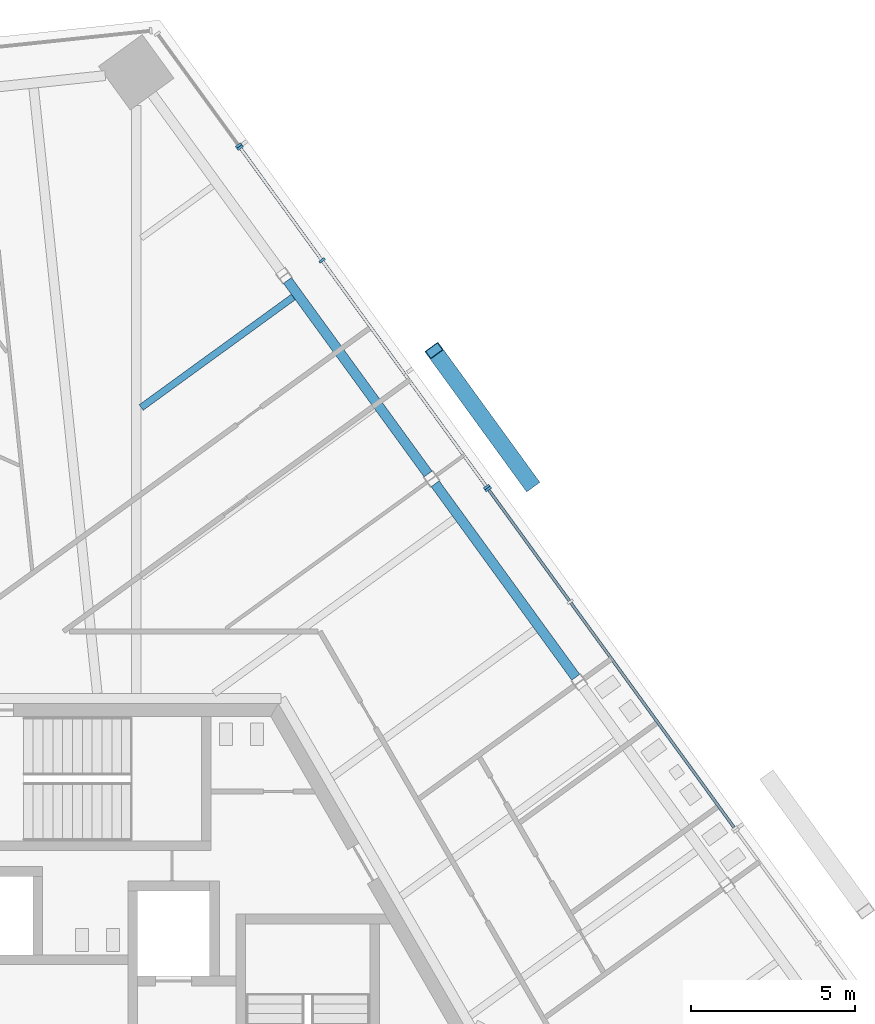
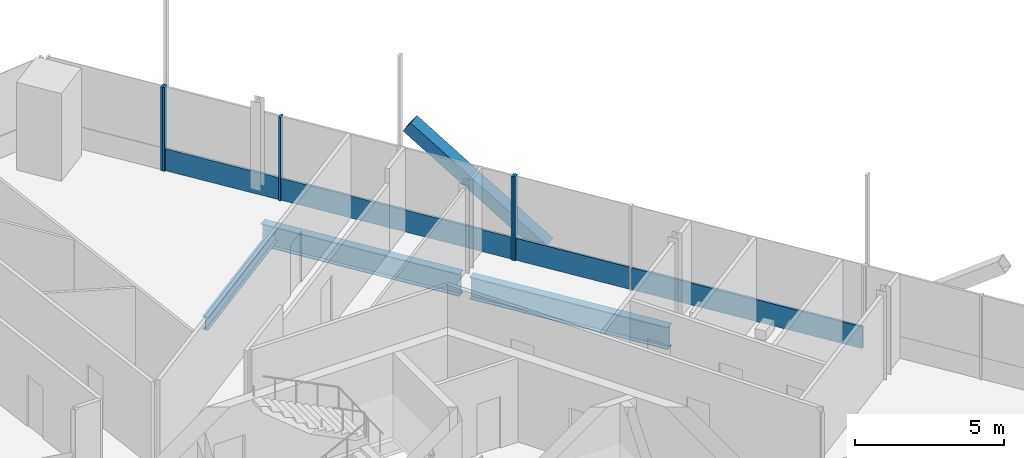
# One storey, part 9 of 21: 10 members, 3 beams, 3 elements without a shape of their own.
"""IFC4 building model written with IfcOpenShell, lengths in metres."""

from ifc_helpers import new_model, si_unit, direction, frame, origin, origin_2d, place, context, subcontext, project, spatial, rectangle, hollow_rectangle, i_section, extrude, source, transform, mapped, material, material_profile, profile_set, type_object, element, aggregate, save


model = new_model("IFC4")

# Units and contexts
model_context = context("Model", 3, precision=1e-05, world=origin(), true_north=direction((0.0, 1.0)))
body_context = subcontext(model_context, "Body", "Model", "MODEL_VIEW")
ifc_project = project(units=[si_unit("LENGTHUNIT", "METRE"), si_unit("AREAUNIT", "SQUARE_METRE"), si_unit("VOLUMEUNIT", "CUBIC_METRE"), si_unit("PLANEANGLEUNIT", "RADIAN"), si_unit("MASSUNIT", "GRAM", prefix="KILO")], contexts=[model_context])

# Site, building, storey
site_placement = place(None, origin())
site = spatial("IfcSite", under=ifc_project, at=site_placement, CompositionType="ELEMENT")
building_placement = place(site_placement, origin())
building = spatial("IfcBuilding", under=site, at=building_placement, Name="Triune Harvest Tower", CompositionType="ELEMENT")
storey_placement = place(building_placement, frame((0.0, 0.0, 241.300048828125)))
storey = spatial("IfcBuildingStorey", under=building, at=storey_placement, Name="L63", CompositionType="ELEMENT", Elevation=241.300048828125)

# Beams
ifc_material_1 = material(Name="Steel ASTM A992 Gr 50", Category="steel")
ifc_material_profile_1 = material_profile(ifc_material_1, i_section(OverallWidth=0.3046875, OverallDepth=0.914306640625, WebThickness=0.0166015625, FlangeThickness=0.02587890625, at=origin_2d()), Name="W36x160")
ifc_profile_set_1 = profile_set([ifc_material_profile_1], Name="Steel ASTM A992 Gr 50")
beam_type_1 = type_object("IfcBeamType", Name="SB-1 Spandrel beam W36x160", PredefinedType="SPANDREL", material=ifc_profile_set_1)
shared_shape_1 = source(origin(), body_context, "Body", "SweptSolid", [
    extrude(i_section(OverallWidth=0.3046875, OverallDepth=0.914306640625, WebThickness=0.0166015625, FlangeThickness=0.02587890625, at=origin_2d()), origin(), (0.0, 0.0, 1.0), 7.31103515625),
])
for number, where, z_axis, x_axis, name in (
    (1, (15.091552734375, 11.1923828125, -0.6171875), (-0.587786436325, 0.809016134124, 0.0), (-0.809016134124, -0.587786436325, 0.0), "beam/L63/SB4"),
    (2, (10.57763671875, 17.405029296875, -0.6171875), (-0.587786436325, 0.809016134124, 0.0), (-0.809016134124, -0.587786436325, 0.0), "beam/L63/SB5"),
):
    element("IfcBeam", number, at=place(storey_placement, frame(where, z_axis=z_axis, x_axis=x_axis)), inside=storey, type_object=beam_type_1, Name=name, PredefinedType="SPANDREL", context=body_context, shape_type="MappedRepresentation", body=[
        mapped(shared_shape_1, transform((0.0, 0.0, 0.0), scale=1.0)),
    ])
ifc_material_2 = material(Name="Steel ASTM A992 Gr 50", Category="steel")
ifc_material_profile_2 = material_profile(ifc_material_2, i_section(OverallWidth=0.2099609375, OverallDepth=0.535888671875, WebThickness=0.010986328125, FlangeThickness=0.017333984375, at=origin_2d()), Name="W21x68")
ifc_profile_set_2 = profile_set([ifc_material_profile_2], Name="Steel ASTM A992 Gr 50")
beam_type_2 = type_object("IfcBeamType", Name="JT-2 Floor joist W21x68", PredefinedType="JOIST", material=ifc_profile_set_2)
shared_shape_2 = source(origin(), body_context, "Body", "SweptSolid", [
    extrude(i_section(OverallWidth=0.2099609375, OverallDepth=0.535888671875, WebThickness=0.010986328125, FlangeThickness=0.017333984375, at=origin_2d()), origin(), (0.0, 0.0, 1.0), 5.745849609375),
])
beam_placement = place(storey_placement, frame((6.458984375, 22.814453125, -0.427978515625), z_axis=(-0.809024464979, -0.587774969751, 0.0), x_axis=(0.587774969751, -0.809024464979, 0.0)))
element("IfcBeam", 3, at=beam_placement, inside=storey, type_object=beam_type_2, Name="beam/L63/JT9", PredefinedType="JOIST", context=body_context, shape_type="MappedRepresentation", body=[
    mapped(shared_shape_2, transform((0.0, 0.0, 0.0), scale=1.0)),
])

# Member
ifc_material_3 = material(Name="Steel ASTM A572 Gr 50", Category="steel")
ifc_material_profile_3 = material_profile(ifc_material_3, hollow_rectangle(XDim=0.5, YDim=0.5, WallThickness=0.030029296875, at=origin_2d()), Name="Box 500x500x30")
ifc_profile_set_3 = profile_set([ifc_material_profile_3], Name="Steel ASTM A572 Gr 50")
member_type_1 = type_object("IfcMemberType", Name="BR-3 Brace Box 500x500x30", PredefinedType="BRACE", material=ifc_profile_set_3)
shared_shape_3 = source(origin(), body_context, "Body", "SweptSolid", [
    extrude(hollow_rectangle(XDim=0.5, YDim=0.5, WallThickness=0.030029296875, at=origin_2d()), origin(), (0.0, 0.0, 1.0), 6.170654296875),
])
member_1_placement = place(storey_placement, frame((13.707763671875, 17.121337890625, 0.0), z_axis=(-0.477387446173, 0.657090229242, 0.583381227732), x_axis=(-0.809026684069, -0.587771915341, 0.0)))
element("IfcMember", 4, at=member_1_placement, inside=storey, type_object=member_type_1, Name="brace/B6-F1/d1/7", PredefinedType="BRACE", context=body_context, shape_type="MappedRepresentation", body=[
    mapped(shared_shape_3, transform((0.0, 0.0, 0.0), scale=1.0)),
])

# Curtain wall, member
ifc_material_4 = material(Name="Aluminium bronze anodised", Category="aluminium")
curtain_wall_type_1 = type_object("IfcCurtainWallType", Name="CW-1 Tower stick curtain wall", PredefinedType="NOTDEFINED", material=ifc_material_4)
curtain_wall_1_placement = place(storey_placement, origin())
curtain_wall_1 = element("IfcCurtainWall", 5, at=curtain_wall_1_placement, inside=storey, type_object=curtain_wall_type_1, Name="CW-1 B6-F1 L63 run 2001")
ifc_material_5 = material(Name="Aluminium bronze anodised", Category="aluminium")
ifc_material_profile_4 = material_profile(ifc_material_5, rectangle(XDim=0.199951171875, YDim=0.074951171875, at=origin_2d()), Name="MU-1 mullion 75 x 200")
ifc_profile_set_4 = profile_set([ifc_material_profile_4], Name="Aluminium bronze anodised")
member_type_2 = type_object("IfcMemberType", Name="MU-1 mullion 75 x 200", PredefinedType="MULLION", material=ifc_profile_set_4)
shared_shape_4 = source(origin(), body_context, "Body", "SweptSolid", [
    extrude(rectangle(XDim=0.199951171875, YDim=0.074951171875, at=origin_2d()), origin(), (0.0, 0.0, 1.0), 3.43994140625),
])
member_2_placement = place(storey_placement, frame((12.4140625, 16.945556640625, 0.0), z_axis=(0.0, 0.0, 1.0), x_axis=(-0.809017576253, -0.587784451405, 0.0)))
member_2 = element("IfcMember", 6, at=member_2_placement, type_object=member_type_2, Name="CW-1 mullion B6-F1 2001.4", PredefinedType="MULLION", context=body_context, shape_type="MappedRepresentation", body=[
    mapped(shared_shape_4, transform((0.0, 0.0, 0.0), scale=1.0)),
])

# Curtain wall, members
ifc_material_6 = material(Name="Aluminium bronze anodised", Category="aluminium")
curtain_wall_type_2 = type_object("IfcCurtainWallType", Name="CW-7 Tower stick curtain wall with insulated spandrel infill", PredefinedType="NOTDEFINED", material=ifc_material_6)
curtain_wall_2_placement = place(storey_placement, origin())
curtain_wall_2 = element("IfcCurtainWall", 7, at=curtain_wall_2_placement, inside=storey, type_object=curtain_wall_type_2, Name="CW-7 B6-F1 L63 run 3001")
member_3_placement = place(storey_placement, frame((12.369873046875, 17.00634765625, 0.0), z_axis=(0.0, 0.0, 1.0), x_axis=(-0.809016568214, -0.587785838852, 0.0)))
member_3 = element("IfcMember", 8, at=member_3_placement, type_object=member_type_2, Name="CW-7 mullion B6-F1 3001.1", PredefinedType="MULLION", context=body_context, shape_type="MappedRepresentation", body=[
    mapped(shared_shape_4, transform((0.0, 0.0, 0.0), scale=1.0)),
])
member_4_placement = place(storey_placement, frame((7.3369140625, 23.93359375, 0.0), z_axis=(0.0, 0.0, 1.0), x_axis=(-0.809016568214, -0.587785838852, 0.0)))
member_4 = element("IfcMember", 9, at=member_4_placement, type_object=member_type_2, Name="CW-7 mullion B6-F1 3001.3", PredefinedType="MULLION", context=body_context, shape_type="MappedRepresentation", body=[
    mapped(shared_shape_4, transform((0.0, 0.0, 0.0), scale=1.0)),
])
member_5_placement = place(storey_placement, frame((4.83154296875, 27.382080078125, 0.0), z_axis=(0.0, 0.0, 1.0), x_axis=(-0.809016568214, -0.587785838852, 0.0)))
member_5 = element("IfcMember", 10, at=member_5_placement, type_object=member_type_2, Name="CW-7 mullion B6-F1 3001.4", PredefinedType="MULLION", context=body_context, shape_type="MappedRepresentation", body=[
    mapped(shared_shape_4, transform((0.0, 0.0, 0.0), scale=1.0)),
])

# Curtain wall, member
curtain_wall_3_placement = place(storey_placement, origin())
curtain_wall_3 = element("IfcCurtainWall", 11, at=curtain_wall_3_placement, inside=storey, type_object=curtain_wall_type_1, Name="CW-1 B6-F1 L63 run 4001")
member_6_placement = place(storey_placement, frame((4.787353515625, 27.442626953125, 0.0), z_axis=(0.0, 0.0, 1.0), x_axis=(-0.809015722642, -0.587787002678, 0.0)))
member_6 = element("IfcMember", 12, at=member_6_placement, type_object=member_type_2, Name="CW-1 mullion B6-F1 4001.1", PredefinedType="MULLION", context=body_context, shape_type="MappedRepresentation", body=[
    mapped(shared_shape_4, transform((0.0, 0.0, 0.0), scale=1.0)),
])
aggregate(curtain_wall_3, [member_6])

# Member
ifc_material_7 = material(Name="Aluminium bronze anodised", Category="aluminium")
ifc_material_profile_5 = material_profile(ifc_material_7, rectangle(XDim=0.090087890625, YDim=0.89990234375, at=origin_2d()), Name="TR-1 transom 90 x 900")
ifc_profile_set_5 = profile_set([ifc_material_profile_5], Name="Aluminium bronze anodised")
member_type_3 = type_object("IfcMemberType", Name="TR-1 transom 90 x 900", PredefinedType="USERDEFINED", material=ifc_profile_set_5)
shared_shape_5 = source(origin(), body_context, "Body", "SweptSolid", [
    extrude(rectangle(XDim=0.090087890625, YDim=0.89990234375, at=origin_2d()), origin(), (0.0, 0.0, 1.0), 8.487548828125),
])
member_7_placement = place(storey_placement, frame((19.930419921875, 6.600341796875, 0.449951171875), z_axis=(-0.587803916877, 0.809003433431, 0.0), x_axis=(-0.809003433431, -0.587803916877, 0.0)))
member_7 = element("IfcMember", 13, at=member_7_placement, type_object=member_type_3, Name="CW-1 transom B6-F1 2001.1", ObjectType="TRANSOM", PredefinedType="USERDEFINED", context=body_context, shape_type="MappedRepresentation", body=[
    mapped(shared_shape_5, transform((0.0, 0.0, 0.0), scale=1.0)),
])

shared_shape_6 = source(origin(), body_context, "Body", "SweptSolid", [
    extrude(rectangle(XDim=0.090087890625, YDim=0.89990234375, at=origin_2d()), origin(), (0.0, 0.0, 1.0), 4.1875),
])
member_8_placement = place(storey_placement, frame((14.8974609375, 13.527587890625, 0.449951171875), z_axis=(-0.587804174656, 0.809003246135, 0.0), x_axis=(-0.809003246135, -0.587804174656, 0.0)))
member_8 = element("IfcMember", 14, at=member_8_placement, type_object=member_type_3, Name="CW-1 transom B6-F1 2001.2", ObjectType="TRANSOM", PredefinedType="USERDEFINED", context=body_context, shape_type="MappedRepresentation", body=[
    mapped(shared_shape_6, transform((0.0, 0.0, 0.0), scale=1.0)),
])

aggregate(curtain_wall_1, [member_2, member_7, member_8])

member_9_placement = place(storey_placement, frame((7.31494140625, 23.9638671875, 0.449951171875), z_axis=(-0.587804174656, 0.809003246135, 0.0), x_axis=(-0.809003246135, -0.587804174656, 0.0)))
member_9 = element("IfcMember", 15, at=member_9_placement, type_object=member_type_3, Name="CW-7 transom B6-F1 3001.2", ObjectType="TRANSOM", PredefinedType="USERDEFINED", context=body_context, shape_type="MappedRepresentation", body=[
    mapped(shared_shape_6, transform((0.0, 0.0, 0.0), scale=1.0)),
])

shared_shape_7 = source(origin(), body_context, "Body", "SweptSolid", [
    extrude(rectangle(XDim=0.090087890625, YDim=0.89990234375, at=origin_2d()), origin(), (0.0, 0.0, 1.0), 8.4873046875),
])
member_10_placement = place(storey_placement, frame((12.347900390625, 17.03662109375, 0.449951171875), z_axis=(-0.587785090378, 0.809017112013, 0.0), x_axis=(-0.809017112013, -0.587785090378, 0.0)))
member_10 = element("IfcMember", 16, at=member_10_placement, type_object=member_type_3, Name="CW-7 transom B6-F1 3001.1", ObjectType="TRANSOM", PredefinedType="USERDEFINED", context=body_context, shape_type="MappedRepresentation", body=[
    mapped(shared_shape_7, transform((0.0, 0.0, 0.0), scale=1.0)),
])

aggregate(curtain_wall_2, [member_3, member_4, member_5, member_10, member_9])

save(model, "model.ifc")
